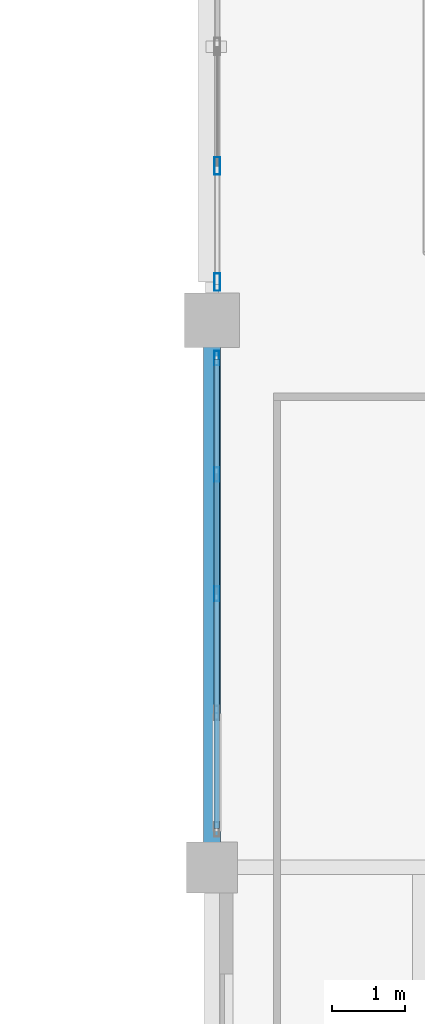
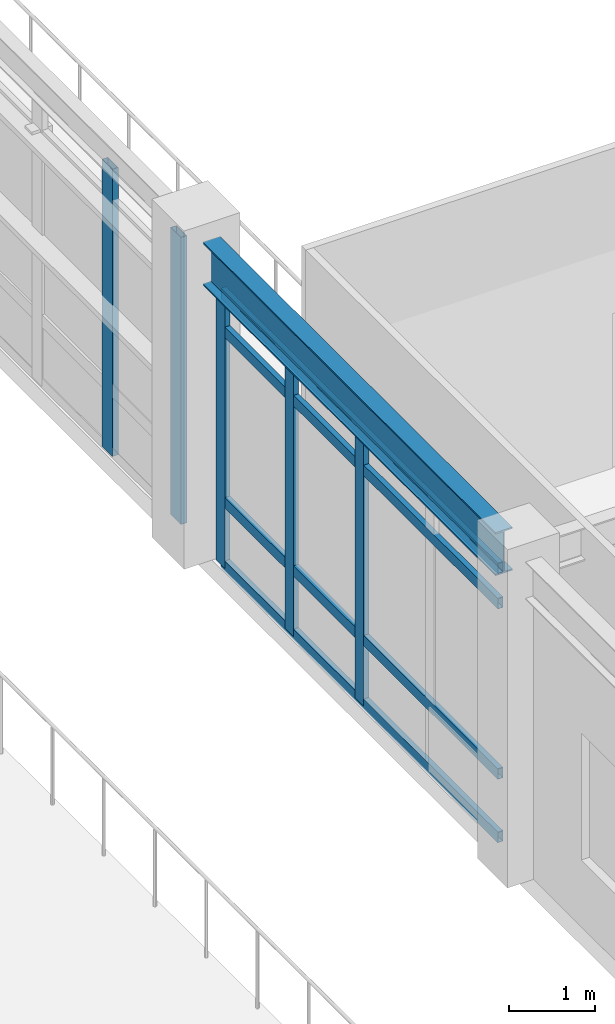
# One storey, part 111 of 200: 9 members, 1 beam, 2 elements without a shape of their own.
"""IFC4 building model written with IfcOpenShell, lengths in metres."""

from ifc_helpers import new_model, si_unit, direction, frame, origin, origin_2d, place, context, subcontext, project, spatial, hollow_rectangle, i_section, extrude, material, material_profile, profile_set, type_object, element, aggregate, save


model = new_model("IFC4")

# Units and contexts
model_context = context("Model", 3, precision=1e-05, world=origin(), true_north=direction((0.0, 1.0)))
body_context = subcontext(model_context, "Body", "Model", "MODEL_VIEW")
ifc_project = project(units=[si_unit("LENGTHUNIT", "METRE"), si_unit("AREAUNIT", "SQUARE_METRE"), si_unit("VOLUMEUNIT", "CUBIC_METRE"), si_unit("PLANEANGLEUNIT", "RADIAN"), si_unit("MASSUNIT", "GRAM", prefix="KILO"), si_unit("THERMODYNAMICTEMPERATUREUNIT", "KELVIN"), si_unit("POWERUNIT", "WATT")], contexts=[model_context])

# Site, building, storey
site_placement = place(None, origin())
site = spatial("IfcSite", under=ifc_project, at=site_placement, CompositionType="ELEMENT")
building_placement = place(site_placement, origin())
building = spatial("IfcBuilding", under=site, at=building_placement, Name="Tepalcoro Natatorium and Aquatics Centre", CompositionType="ELEMENT")
storey_placement = place(building_placement, frame((0.0, 0.0, 5.39990234375)))
storey = spatial("IfcBuildingStorey", under=building, at=storey_placement, Name="L01", CompositionType="ELEMENT", Elevation=5.39990234375)

# Curtain wall, members
ifc_material_1 = material(Name="Bronze-Anodised Extruded Aluminium Alloy EN AW-6063 T6", Category="aluminium")
curtain_wall_type_1 = type_object("IfcCurtainWallType", Name="CW_LEAN_T1_NS", PredefinedType="USERDEFINED", material=ifc_material_1)
curtain_wall_1_placement = place(storey_placement, origin())
curtain_wall_1 = element("IfcCurtainWall", 1, at=curtain_wall_1_placement, inside=storey, type_object=curtain_wall_type_1, Name="V2 L01 W Unitised Curtain Wall Bay 2", ObjectType="FACETED SOLAR GLAZING", PredefinedType="USERDEFINED")
ifc_material_profile_1 = material_profile(ifc_material_1, hollow_rectangle(XDim=0.070068359375, YDim=0.199951171875, WallThickness=0.0048828125, at=origin_2d()), Name="AL70X200X5")
ifc_profile_set_1 = profile_set([ifc_material_profile_1], Name="Bronze-Anodised Extruded Aluminium Alloy EN AW-6063 T6")
member_type_1 = type_object("IfcMemberType", Name="CW_MUL_70x200", PredefinedType="MULLION", material=ifc_profile_set_1)
member_1_placement = place(storey_placement, frame((142.06494140625, 16.75, 0.02001953125), z_axis=(0.0, 0.0, 1.0), x_axis=(1.0, 0.0, 0.0)))
member_1 = element("IfcMember", 2, at=member_1_placement, type_object=member_type_1, Name="CW_LEAN_T1_NS Curtain Wall Mullion", PredefinedType="MULLION", context=body_context, shape_type="SweptSolid", body=[
    extrude(hollow_rectangle(XDim=0.070068359375, YDim=0.199951171875, WallThickness=0.0048828125, at=origin_2d()), origin(), (0.0, 0.0, 1.0), 3.878173828125),
])
member_2_placement = place(storey_placement, frame((142.06494140625, 18.385009765625, 0.02001953125), z_axis=(0.0, 0.0, 1.0), x_axis=(1.0, 0.0, 0.0)))
member_2 = element("IfcMember", 3, at=member_2_placement, type_object=member_type_1, Name="CW_LEAN_T1_NS Curtain Wall Mullion", PredefinedType="MULLION", context=body_context, shape_type="SweptSolid", body=[
    extrude(hollow_rectangle(XDim=0.070068359375, YDim=0.199951171875, WallThickness=0.0048828125, at=origin_2d()), origin(), (0.0, 0.0, 1.0), 3.878173828125),
])
member_3_placement = place(storey_placement, frame((142.06494140625, 19.97998046875, 0.02001953125), z_axis=(0.0, 0.0, 1.0), x_axis=(1.0, 0.0, 0.0)))
member_3 = element("IfcMember", 4, at=member_3_placement, type_object=member_type_1, Name="CW_LEAN_T1_NS Curtain Wall Mullion", PredefinedType="MULLION", context=body_context, shape_type="SweptSolid", body=[
    extrude(hollow_rectangle(XDim=0.070068359375, YDim=0.199951171875, WallThickness=0.0048828125, at=origin_2d()), origin(), (0.0, 0.0, 1.0), 3.878173828125),
])

curtain_wall_type_2 = type_object("IfcCurtainWallType", Name="CW_LEAN_T1_EW", PredefinedType="USERDEFINED", material=ifc_material_1)
curtain_wall_2_placement = place(storey_placement, origin())
curtain_wall_2 = element("IfcCurtainWall", 5, at=curtain_wall_2_placement, inside=storey, type_object=curtain_wall_type_2, Name="V2 L01 W Unitised Curtain Wall Bay 3", ObjectType="FACETED SOLAR GLAZING", PredefinedType="USERDEFINED")
ifc_material_profile_2 = material_profile(ifc_material_1, hollow_rectangle(XDim=0.080078125, YDim=0.239990234375, WallThickness=0.0048828125, at=origin_2d()), Name="AL80X240X5")
ifc_profile_set_2 = profile_set([ifc_material_profile_2], Name="Bronze-Anodised Extruded Aluminium Alloy EN AW-6063 T6")
member_type_2 = type_object("IfcMemberType", Name="CW_MUL_80x240", PredefinedType="MULLION", material=ifc_profile_set_2)
member_4_placement = place(storey_placement, frame((142.0712890625, 21.02001953125, 0.02001953125), z_axis=(0.0, 0.0, 1.0), x_axis=(1.0, 0.0, 0.0)))
member_4 = element("IfcMember", 6, at=member_4_placement, type_object=member_type_2, Name="CW_LEAN_T1_EW Curtain Wall Mullion", PredefinedType="MULLION", context=body_context, shape_type="SweptSolid", body=[
    extrude(hollow_rectangle(XDim=0.080078125, YDim=0.239990234375, WallThickness=0.0048828125, at=origin_2d()), origin(), (0.0, 0.0, 1.0), 4.0771484375),
])
member_5_placement = place(storey_placement, frame((142.0712890625, 22.614990234375, 0.02001953125), z_axis=(0.0, 0.0, 1.0), x_axis=(1.0, 0.0, 0.0)))
member_5 = element("IfcMember", 7, at=member_5_placement, type_object=member_type_2, Name="CW_LEAN_T1_EW Curtain Wall Mullion", PredefinedType="MULLION", context=body_context, shape_type="SweptSolid", body=[
    extrude(hollow_rectangle(XDim=0.080078125, YDim=0.239990234375, WallThickness=0.0048828125, at=origin_2d()), origin(), (0.0, 0.0, 1.0), 4.0771484375),
])
aggregate(curtain_wall_2, [member_4, member_5])

# Member
ifc_material_profile_3 = material_profile(ifc_material_1, hollow_rectangle(XDim=0.070068359375, YDim=0.14990234375, WallThickness=0.00390625, at=origin_2d()), Name="AL70X150X4")
ifc_profile_set_3 = profile_set([ifc_material_profile_3], Name="Bronze-Anodised Extruded Aluminium Alloy EN AW-6063 T6")
member_type_3 = type_object("IfcMemberType", Name="CW_TRN_70x150", PredefinedType="USERDEFINED", material=ifc_profile_set_3)
member_6_placement = place(storey_placement, frame((142.06494140625, 13.530029296875, 0.050048828125), z_axis=(0.0, 1.0, 0.0), x_axis=(-1.0, 0.0, 0.0)))
member_6 = element("IfcMember", 8, at=member_6_placement, type_object=member_type_3, Name="CW_LEAN_T1_NS Curtain Wall Transom", ObjectType="TRANSOM", PredefinedType="USERDEFINED", context=body_context, shape_type="SweptSolid", body=[
    extrude(hollow_rectangle(XDim=0.070068359375, YDim=0.14990234375, WallThickness=0.00390625, at=origin_2d()), origin(), (0.0, 0.0, 1.0), 6.43994140625),
])

member_7_placement = place(storey_placement, frame((142.06494140625, 13.530029296875, 0.9501953125), z_axis=(0.0, 1.0, 0.0), x_axis=(-1.0, 0.0, 0.0)))
member_7 = element("IfcMember", 9, at=member_7_placement, type_object=member_type_3, Name="CW_LEAN_T1_NS Curtain Wall Transom", ObjectType="TRANSOM", PredefinedType="USERDEFINED", context=body_context, shape_type="SweptSolid", body=[
    extrude(hollow_rectangle(XDim=0.070068359375, YDim=0.14990234375, WallThickness=0.00390625, at=origin_2d()), origin(), (0.0, 0.0, 1.0), 6.43994140625),
])

member_8_placement = place(storey_placement, frame((142.06494140625, 13.530029296875, 3.3681640625), z_axis=(0.0, 1.0, 0.0), x_axis=(-1.0, 0.0, 0.0)))
member_8 = element("IfcMember", 10, at=member_8_placement, type_object=member_type_3, Name="CW_LEAN_T1_NS Curtain Wall Transom", ObjectType="TRANSOM", PredefinedType="USERDEFINED", context=body_context, shape_type="SweptSolid", body=[
    extrude(hollow_rectangle(XDim=0.070068359375, YDim=0.14990234375, WallThickness=0.00390625, at=origin_2d()), origin(), (0.0, 0.0, 1.0), 6.43994140625),
])

member_9_placement = place(storey_placement, frame((142.06494140625, 13.530029296875, 3.8681640625), z_axis=(0.0, 1.0, 0.0), x_axis=(-1.0, 0.0, 0.0)))
member_9 = element("IfcMember", 11, at=member_9_placement, type_object=member_type_3, Name="CW_LEAN_T1_NS Curtain Wall Transom", ObjectType="TRANSOM", PredefinedType="USERDEFINED", context=body_context, shape_type="SweptSolid", body=[
    extrude(hollow_rectangle(XDim=0.070068359375, YDim=0.14990234375, WallThickness=0.00390625, at=origin_2d()), origin(), (0.0, 0.0, 1.0), 6.43994140625),
])

aggregate(curtain_wall_1, [member_1, member_2, member_3, member_6, member_7, member_8, member_9])

# Beam
ifc_material_2 = material(Name="Steel ASTM A992 Grade 50 (Fy 345 MPa)", Category="steel")
ifc_material_profile_4 = material_profile(ifc_material_2, i_section(OverallWidth=0.22900390625, OverallDepth=0.612060546875, WebThickness=0.011962890625, FlangeThickness=0.02001953125, FilletRadius=0.013916015625, at=origin_2d()), Name="W24X84")
ifc_profile_set_4 = profile_set([ifc_material_profile_4], Name="Steel ASTM A992 Grade 50 (Fy 345 MPa)")
beam_type = type_object("IfcBeamType", Name="SP_W24x84", PredefinedType="SPANDREL", material=ifc_profile_set_4)
beam_placement = place(storey_placement, frame((142.0, 13.3349609375, 4.239013671875), z_axis=(0.0, 1.0, 0.0), x_axis=(-1.0, 0.0, 0.0)))
element("IfcBeam", 12, at=beam_placement, inside=storey, type_object=beam_type, Name="V2 L01 Grid Girder Y", PredefinedType="SPANDREL", context=body_context, shape_type="SweptSolid", body=[
    extrude(i_section(OverallWidth=0.22900390625, OverallDepth=0.612060546875, WebThickness=0.011962890625, FlangeThickness=0.02001953125, FilletRadius=0.013916015625, at=origin_2d()), origin(), (0.0, 0.0, 1.0), 6.804931640625),
])

save(model, "model.ifc")
